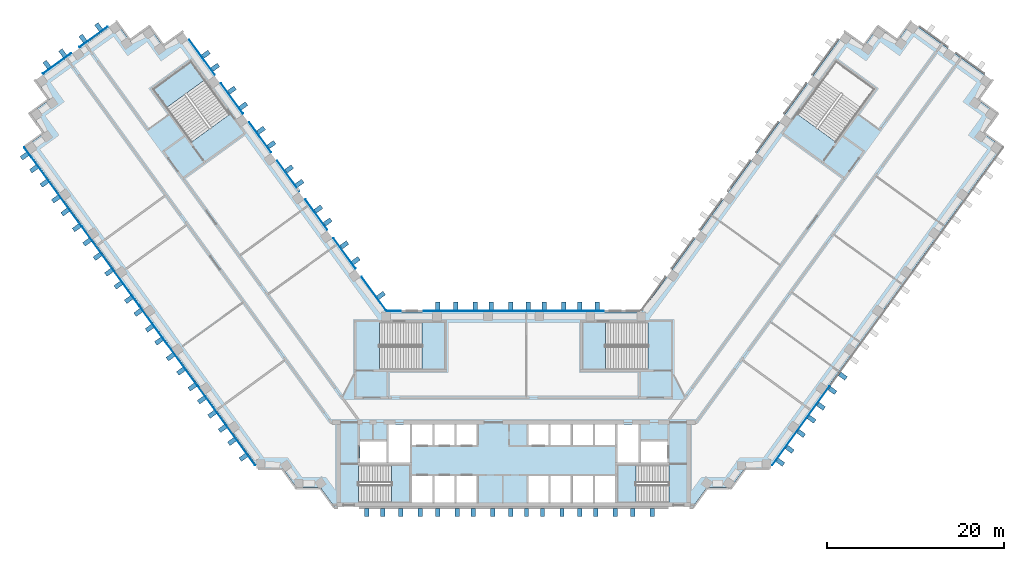
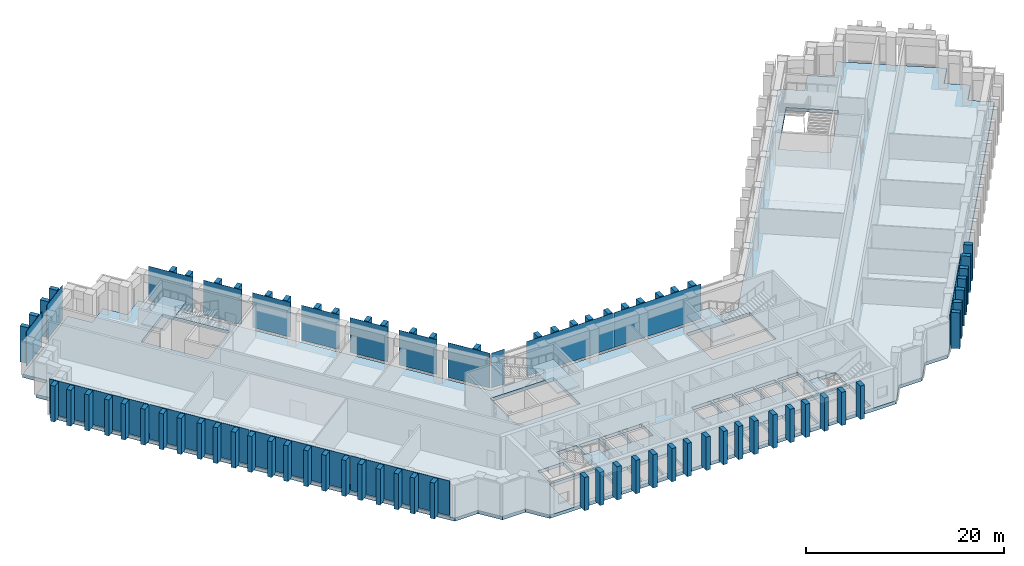
"""IFC4 building model written with IfcOpenShell, lengths in metres."""

from ifc_helpers import new_model, si_unit, direction, frame, origin, origin_2d, place, context, subcontext, project, spatial, polyline, rectangle, outline, extrude, material, layer, layer_set, type_object, element, aggregate, save


model = new_model("IFC4")

# Units and contexts
model_context = context("Model", 3, precision=1e-05, world=origin(), true_north=direction((0.0, 1.0)))
body_context = subcontext(model_context, "Body", "Model", "MODEL_VIEW")
ifc_project = project(units=[si_unit("LENGTHUNIT", "METRE"), si_unit("AREAUNIT", "SQUARE_METRE"), si_unit("VOLUMEUNIT", "CUBIC_METRE"), si_unit("PLANEANGLEUNIT", "RADIAN"), si_unit("MASSUNIT", "GRAM", prefix="KILO")], contexts=[model_context])

# Site, building, storey
site_placement = place(None, origin())
site = spatial("IfcSite", under=ifc_project, at=site_placement, CompositionType="ELEMENT")
building_placement = place(site_placement, origin())
building = spatial("IfcBuilding", under=site, at=building_placement, Name="Quipu Civic Tower", CompositionType="ELEMENT")
storey_1_placement = place(building_placement, frame((0.0, 0.0, 11.5)))
storey_1 = spatial("IfcBuildingStorey", under=building, at=storey_1_placement, Name="L02", CompositionType="ELEMENT", Elevation=11.5)

# Slab
ifc_material_1 = material(Name="Concrete C40/50", Category="concrete")
ifc_layer_1 = layer(ifc_material_1, 0.39990234375)
ifc_layer_set_1 = layer_set([ifc_layer_1], Name="Concrete C40/50")
slab_type_1 = type_object("IfcSlabType", Name="Floor slab 400 C40/50", PredefinedType="FLOOR", material=ifc_layer_set_1)
slab_1_placement = place(storey_1_placement, frame((0.0, 0.0, -0.39990234375)))
element("IfcSlab", 1, at=slab_1_placement, inside=storey_1, type_object=slab_type_1, Name="Floor slab L02", PredefinedType="FLOOR", context=body_context, shape_type="SweptSolid", body=[
    extrude(outline(polyline([(37.31494140625, 42.550048828125), (39.5, 40.9599609375), (41.0849609375, 43.14501953125), (43.27001953125, 41.56005859375), (44.860107421875, 43.739990234375), (53.919921875, 37.159912109375), (52.3349609375, 34.97509765625), (54.514892578125, 33.389892578125), (52.929931640625, 31.205078125), (55.114990234375, 29.614990234375), (28.780029296875, -6.6298828125), (26.080078125, -6.6298828125), (24.489990234375, -8.81494140625), (21.7900390625, -8.81494140625), (20.205078125, -11.0), (-20.205078125, -11.0), (-21.7900390625, -8.81494140625), (-24.489990234375, -8.81494140625), (-26.080078125, -6.6298828125), (-28.780029296875, -6.6298828125), (-55.114990234375, 29.614990234375), (-52.929931640625, 31.205078125), (-54.514892578125, 33.389892578125), (-52.3349609375, 34.97509765625), (-53.919921875, 37.159912109375), (-44.860107421875, 43.739990234375), (-43.27001953125, 41.56005859375), (-41.0849609375, 43.14501953125), (-39.5, 40.9599609375), (-37.31494140625, 42.550048828125), (-14.39501953125, 11.0), (14.39501953125, 11.0), (37.31494140625, 42.550048828125)]), holes=[polyline([(-11.449951171875, -7.5), (-11.449951171875, -10.5), (-9.14990234375, -10.5), (-9.14990234375, -7.5), (-11.449951171875, -7.5)]), polyline([(-6.64990234375, -7.5), (-8.949951171875, -7.5), (-8.949951171875, -10.5), (-6.64990234375, -10.5), (-6.64990234375, -7.5)]), polyline([(-4.14990234375, -7.5), (-6.449951171875, -7.5), (-6.449951171875, -10.5), (-4.14990234375, -10.5), (-4.14990234375, -7.5)]), polyline([(1.64990234375, -7.5), (1.64990234375, -10.5), (3.949951171875, -10.5), (3.949951171875, -7.5), (1.64990234375, -7.5)]), polyline([(-11.705078125, -10.4951171875), (-11.705078125, -6.2548828125), (-17.4951171875, -6.2548828125), (-17.4951171875, -10.4951171875), (-11.705078125, -10.4951171875)]), polyline([(-14.35009765625, -3.60009765625), (-17.35009765625, -3.60009765625), (-17.35009765625, -6.0), (-14.35009765625, -6.0), (-14.35009765625, -3.60009765625)]), polyline([(-14.10009765625, -1.699951171875), (-14.10009765625, -6.0), (-11.699951171875, -6.0), (-11.699951171875, -1.699951171875), (-14.10009765625, -1.699951171875)]), polyline([(-9.14990234375, -1.699951171875), (-11.449951171875, -1.699951171875), (-11.449951171875, -4.0), (-9.14990234375, -4.0), (-9.14990234375, -1.699951171875)]), polyline([(-6.64990234375, -1.699951171875), (-8.949951171875, -1.699951171875), (-8.949951171875, -4.0), (-6.64990234375, -4.0), (-6.64990234375, -1.699951171875)]), polyline([(-6.449951171875, -1.699951171875), (-6.449951171875, -4.0), (-4.14990234375, -4.0), (-4.14990234375, -1.699951171875), (-6.449951171875, -1.699951171875)]), polyline([(-7.7548828125, 4.5048828125), (-7.7548828125, 9.844970703125), (-15.14501953125, 9.844970703125), (-15.14501953125, 4.5048828125), (-7.7548828125, 4.5048828125)]), polyline([(-36.364990234375, 39.27490234375), (-40.68505859375, 36.135009765625), (-36.344970703125, 30.159912109375), (-32.02490234375, 33.300048828125), (-36.364990234375, 39.27490234375)]), polyline([(4.14990234375, -7.5), (4.14990234375, -10.5), (6.449951171875, -10.5), (6.449951171875, -7.5), (4.14990234375, -7.5)]), polyline([(8.949951171875, -7.5), (6.64990234375, -7.5), (6.64990234375, -10.5), (8.949951171875, -10.5), (8.949951171875, -7.5)]), polyline([(11.449951171875, -7.5), (9.14990234375, -7.5), (9.14990234375, -10.5), (11.449951171875, -10.5), (11.449951171875, -7.5)]), polyline([(11.705078125, -10.4951171875), (17.4951171875, -10.4951171875), (17.4951171875, -6.2548828125), (11.705078125, -6.2548828125), (11.705078125, -10.4951171875)]), polyline([(17.35009765625, -3.60009765625), (14.35009765625, -3.60009765625), (14.35009765625, -6.0), (17.35009765625, -6.0), (17.35009765625, -3.60009765625)]), polyline([(14.10009765625, -1.699951171875), (11.699951171875, -1.699951171875), (11.699951171875, -6.0), (14.10009765625, -6.0), (14.10009765625, -1.699951171875)]), polyline([(1.64990234375, -1.699951171875), (1.64990234375, -4.0), (3.949951171875, -4.0), (3.949951171875, -1.699951171875), (1.64990234375, -1.699951171875)]), polyline([(6.449951171875, -1.699951171875), (4.14990234375, -1.699951171875), (4.14990234375, -4.0), (6.449951171875, -4.0), (6.449951171875, -1.699951171875)]), polyline([(8.949951171875, -1.699951171875), (6.64990234375, -1.699951171875), (6.64990234375, -4.0), (8.949951171875, -4.0), (8.949951171875, -1.699951171875)]), polyline([(9.14990234375, -1.699951171875), (9.14990234375, -4.0), (11.449951171875, -4.0), (11.449951171875, -1.699951171875), (9.14990234375, -1.699951171875)]), polyline([(7.7548828125, 9.844970703125), (7.7548828125, 4.5048828125), (15.14501953125, 4.5048828125), (15.14501953125, 9.844970703125), (7.7548828125, 9.844970703125)]), polyline([(40.68505859375, 36.135009765625), (36.364990234375, 39.27490234375), (32.02490234375, 33.300048828125), (36.344970703125, 30.159912109375), (40.68505859375, 36.135009765625)])]), origin(), (0.0, 0.0, 1.0), 0.39990234375),
])

# Storey
storey_2_placement = place(building_placement, frame((0.0, 0.0, 16.0)))
storey_2 = spatial("IfcBuildingStorey", under=building, at=storey_2_placement, Name="L03", CompositionType="ELEMENT", Elevation=16.0)

# Curtain wall, plate
ifc_material_2 = material(Name="Insulated glass unit", Category="glass")
curtain_wall_type = type_object("IfcCurtainWallType", Name="Public services curtain wall CW3", PredefinedType="NOTDEFINED", material=ifc_material_2)
curtain_wall_1_placement = place(storey_2_placement, origin())
curtain_wall_1 = element("IfcCurtainWall", 2, at=curtain_wall_1_placement, inside=storey_2, type_object=curtain_wall_type, Name="Public services curtain wall CW3 L02 run 1", PredefinedType="NOTDEFINED")
ifc_material_3 = material(Name="Insulated glass unit", Category="glass")
ifc_layer_2 = layer(ifc_material_3, 0.031982421875)
ifc_layer_set_2 = layer_set([ifc_layer_2], Name="Insulated glass unit")
plate_type_1 = type_object("IfcPlateType", Name="Glass panel CW3", PredefinedType="CURTAIN_PANEL", material=ifc_layer_set_2)
plate_1_placement = place(storey_1_placement, frame((-15.769287109375, 13.0615234375, 0.2099609375), z_axis=(0.0, 0.0, 1.0), x_axis=(-0.587795194797, 0.809009770629, 0.0)))
plate_1 = element("IfcPlate", 3, at=plate_1_placement, inside=storey_1, type_object=plate_type_1, Name="CW3 panel 1.1", PredefinedType="CURTAIN_PANEL", context=body_context, shape_type="SweptSolid", body=[
    extrude(rectangle(XDim=4.649169921875, YDim=0.031982421875, at=origin_2d()), origin(), (0.0, 0.0, 1.0), 4.2900390625),
])
aggregate(curtain_wall_1, [plate_1])

curtain_wall_2_placement = place(storey_2_placement, origin())
curtain_wall_2 = element("IfcCurtainWall", 4, at=curtain_wall_2_placement, inside=storey_2, type_object=curtain_wall_type, Name="Public services curtain wall CW3 L02 run 2", PredefinedType="NOTDEFINED")
plate_2_placement = place(storey_1_placement, frame((-19.075439453125, 17.61181640625, 0.2099609375), z_axis=(0.0, 0.0, 1.0), x_axis=(-0.587800011079, 0.809006271283, 0.0)))
plate_2 = element("IfcPlate", 5, at=plate_2_placement, inside=storey_1, type_object=plate_type_1, Name="CW3 panel 1.1", PredefinedType="CURTAIN_PANEL", context=body_context, shape_type="SweptSolid", body=[
    extrude(rectangle(XDim=4.199951171875, YDim=0.031982421875, at=origin_2d()), origin(), (0.0, 0.0, 1.0), 4.2900390625),
])
aggregate(curtain_wall_2, [plate_2])

curtain_wall_3_placement = place(storey_2_placement, origin())
curtain_wall_3 = element("IfcCurtainWall", 6, at=curtain_wall_3_placement, inside=storey_2, type_object=curtain_wall_type, Name="Public services curtain wall CW3 L02 run 3", PredefinedType="NOTDEFINED")
plate_3_placement = place(storey_1_placement, frame((-22.24951171875, 21.98046875, 0.2099609375), z_axis=(0.0, 0.0, 1.0), x_axis=(-0.587774328321, 0.809024930992, 0.0)))
plate_3 = element("IfcPlate", 7, at=plate_3_placement, inside=storey_1, type_object=plate_type_1, Name="CW3 panel 1.1", PredefinedType="CURTAIN_PANEL", context=body_context, shape_type="SweptSolid", body=[
    extrude(rectangle(XDim=4.199951171875, YDim=0.031982421875, at=origin_2d()), origin(), (0.0, 0.0, 1.0), 4.2900390625),
])
aggregate(curtain_wall_3, [plate_3])

curtain_wall_4_placement = place(storey_2_placement, origin())
curtain_wall_4 = element("IfcCurtainWall", 8, at=curtain_wall_4_placement, inside=storey_2, type_object=curtain_wall_type, Name="Public services curtain wall CW3 L02 run 4", PredefinedType="NOTDEFINED")
plate_4_placement = place(storey_1_placement, frame((-25.42333984375, 26.349365234375, 0.2099609375), z_axis=(0.0, 0.0, 1.0), x_axis=(-0.587789203544, 0.809014123608, 0.0)))
plate_4 = element("IfcPlate", 9, at=plate_4_placement, inside=storey_1, type_object=plate_type_1, Name="CW3 panel 1.1", PredefinedType="CURTAIN_PANEL", context=body_context, shape_type="SweptSolid", body=[
    extrude(rectangle(XDim=4.199951171875, YDim=0.031982421875, at=origin_2d()), origin(), (0.0, 0.0, 1.0), 4.2900390625),
])
aggregate(curtain_wall_4, [plate_4])

curtain_wall_5_placement = place(storey_2_placement, origin())
curtain_wall_5 = element("IfcCurtainWall", 10, at=curtain_wall_5_placement, inside=storey_2, type_object=curtain_wall_type, Name="Public services curtain wall CW3 L02 run 5", PredefinedType="NOTDEFINED")
plate_5_placement = place(storey_1_placement, frame((-28.597412109375, 30.718017578125, 0.2099609375), z_axis=(0.0, 0.0, 1.0), x_axis=(-0.587785135859, 0.809017078969, 0.0)))
plate_5 = element("IfcPlate", 11, at=plate_5_placement, inside=storey_1, type_object=plate_type_1, Name="CW3 panel 1.1", PredefinedType="CURTAIN_PANEL", context=body_context, shape_type="SweptSolid", body=[
    extrude(rectangle(XDim=4.199951171875, YDim=0.031982421875, at=origin_2d()), origin(), (0.0, 0.0, 1.0), 4.2900390625),
])
aggregate(curtain_wall_5, [plate_5])

curtain_wall_6_placement = place(storey_2_placement, origin())
curtain_wall_6 = element("IfcCurtainWall", 12, at=curtain_wall_6_placement, inside=storey_2, type_object=curtain_wall_type, Name="Public services curtain wall CW3 L02 run 6", PredefinedType="NOTDEFINED")
plate_6_placement = place(storey_1_placement, frame((-31.771484375, 35.086669921875, 0.2099609375), z_axis=(0.0, 0.0, 1.0), x_axis=(-0.587789203544, 0.809014123608, 0.0)))
plate_6 = element("IfcPlate", 13, at=plate_6_placement, inside=storey_1, type_object=plate_type_1, Name="CW3 panel 1.1", PredefinedType="CURTAIN_PANEL", context=body_context, shape_type="SweptSolid", body=[
    extrude(rectangle(XDim=4.199951171875, YDim=0.031982421875, at=origin_2d()), origin(), (0.0, 0.0, 1.0), 4.2900390625),
])
aggregate(curtain_wall_6, [plate_6])

curtain_wall_7_placement = place(storey_2_placement, origin())
curtain_wall_7 = element("IfcCurtainWall", 14, at=curtain_wall_7_placement, inside=storey_2, type_object=curtain_wall_type, Name="Public services curtain wall CW3 L02 run 7", PredefinedType="NOTDEFINED")
plate_7_placement = place(storey_1_placement, frame((-35.149658203125, 39.736328125, 0.2099609375), z_axis=(0.0, 0.0, 1.0), x_axis=(-0.587782980465, 0.809018644949, 0.0)))
plate_7 = element("IfcPlate", 15, at=plate_7_placement, inside=storey_1, type_object=plate_type_1, Name="CW3 panel 1.1", PredefinedType="CURTAIN_PANEL", context=body_context, shape_type="SweptSolid", body=[
    extrude(rectangle(XDim=4.89453125, YDim=0.031982421875, at=origin_2d()), origin(), (0.0, 0.0, 1.0), 4.2900390625),
])
aggregate(curtain_wall_7, [plate_7])

curtain_wall_8_placement = place(storey_2_placement, origin())
curtain_wall_8 = element("IfcCurtainWall", 16, at=curtain_wall_8_placement, inside=storey_2, type_object=curtain_wall_type, Name="Public services curtain wall CW3 L02 run 12", PredefinedType="NOTDEFINED")
plate_8_placement = place(storey_1_placement, frame((-47.385009765625, 42.03076171875, 0.2099609375), z_axis=(0.0, 0.0, 1.0), x_axis=(-0.809030241342, -0.587767018974, 0.0)))
plate_8 = element("IfcPlate", 17, at=plate_8_placement, inside=storey_1, type_object=plate_type_1, Name="CW3 panel 1.1", PredefinedType="CURTAIN_PANEL", context=body_context, shape_type="SweptSolid", body=[
    extrude(rectangle(XDim=3.900146484375, YDim=0.031982421875, at=origin_2d()), origin(), (0.0, 0.0, 1.0), 4.2900390625),
])
aggregate(curtain_wall_8, [plate_8])

curtain_wall_9_placement = place(storey_2_placement, origin())
curtain_wall_9 = element("IfcCurtainWall", 18, at=curtain_wall_9_placement, inside=storey_2, type_object=curtain_wall_type, Name="Public services curtain wall CW3 L02 run 13", PredefinedType="NOTDEFINED")
plate_9_placement = place(storey_1_placement, frame((-51.51025390625, 39.033447265625, 0.2099609375), z_axis=(0.0, 0.0, 1.0), x_axis=(-0.809014568883, -0.587788590681, 0.0)))
plate_9 = element("IfcPlate", 19, at=plate_9_placement, inside=storey_1, type_object=plate_type_1, Name="CW3 panel 1.1", PredefinedType="CURTAIN_PANEL", context=body_context, shape_type="SweptSolid", body=[
    extrude(rectangle(XDim=3.898193359375, YDim=0.031982421875, at=origin_2d()), origin(), (0.0, 0.0, 1.0), 4.2900390625),
])
aggregate(curtain_wall_9, [plate_9])

# Curtain wall, plates
curtain_wall_10_placement = place(storey_2_placement, origin())
curtain_wall_10 = element("IfcCurtainWall", 20, at=curtain_wall_10_placement, inside=storey_2, type_object=curtain_wall_type, Name="Public services curtain wall CW3 L02 run 18", PredefinedType="NOTDEFINED")
plate_10_placement = place(storey_1_placement, frame((-51.970947265625, 25.11962890625, 0.2099609375), z_axis=(0.0, 0.0, 1.0), x_axis=(0.587785356329, -0.809016918788, 0.0)))
plate_10 = element("IfcPlate", 21, at=plate_10_placement, inside=storey_1, type_object=plate_type_1, Name="CW3 panel 1.1", PredefinedType="CURTAIN_PANEL", context=body_context, shape_type="SweptSolid", body=[
    extrude(rectangle(XDim=10.971435546875, YDim=0.031982421875, at=origin_2d()), origin(), (0.0, 0.0, 1.0), 4.2900390625),
])
plate_11_placement = place(storey_1_placement, frame((-45.448486328125, 16.142333984375, 0.2099609375), z_axis=(0.0, 0.0, 1.0), x_axis=(0.587785356329, -0.809016918788, 0.0)))
plate_11 = element("IfcPlate", 22, at=plate_11_placement, inside=storey_1, type_object=plate_type_1, Name="CW3 panel 2.1", PredefinedType="CURTAIN_PANEL", context=body_context, shape_type="SweptSolid", body=[
    extrude(rectangle(XDim=11.021484375, YDim=0.031982421875, at=origin_2d()), origin(), (0.0, 0.0, 1.0), 4.2900390625),
])
plate_12_placement = place(storey_1_placement, frame((-38.911376953125, 7.14501953125, 0.2099609375), z_axis=(0.0, 0.0, 1.0), x_axis=(0.587785356329, -0.809016918788, 0.0)))
plate_12 = element("IfcPlate", 23, at=plate_12_placement, inside=storey_1, type_object=plate_type_1, Name="CW3 panel 3.1", PredefinedType="CURTAIN_PANEL", context=body_context, shape_type="SweptSolid", body=[
    extrude(rectangle(XDim=11.021484375, YDim=0.031982421875, at=origin_2d()), origin(), (0.0, 0.0, 1.0), 4.2900390625),
])
plate_13_placement = place(storey_1_placement, frame((-32.38916015625, -1.832275390625, 0.2099609375), z_axis=(0.0, 0.0, 1.0), x_axis=(0.587785356329, -0.809016918788, 0.0)))
plate_13 = element("IfcPlate", 24, at=plate_13_placement, inside=storey_1, type_object=plate_type_1, Name="CW3 panel 4.1", PredefinedType="CURTAIN_PANEL", context=body_context, shape_type="SweptSolid", body=[
    extrude(rectangle(XDim=10.971435546875, YDim=0.031982421875, at=origin_2d()), origin(), (0.0, 0.0, 1.0), 4.2900390625),
])
aggregate(curtain_wall_10, [plate_10, plate_11, plate_12, plate_13])

# Curtain wall, plate
curtain_wall_11_placement = place(storey_2_placement, origin())
curtain_wall_11 = element("IfcCurtainWall", 25, at=curtain_wall_11_placement, inside=storey_2, type_object=curtain_wall_type, Name="Public services curtain wall CW3 L02 run 32", PredefinedType="NOTDEFINED")
plate_14_placement = place(storey_1_placement, frame((32.38916015625, -1.832275390625, 0.2099609375), z_axis=(0.0, 0.0, 1.0), x_axis=(0.587785356329, 0.809016918788, 0.0)))
plate_14 = element("IfcPlate", 26, at=plate_14_placement, inside=storey_1, type_object=plate_type_1, Name="CW3 panel 1.1", PredefinedType="CURTAIN_PANEL", context=body_context, shape_type="SweptSolid", body=[
    extrude(rectangle(XDim=10.971435546875, YDim=0.031982421875, at=origin_2d()), origin(), (0.0, 0.0, 1.0), 4.2900390625),
])
aggregate(curtain_wall_11, [plate_14])

# Curtain wall, plates
curtain_wall_12_placement = place(storey_2_placement, origin())
curtain_wall_12 = element("IfcCurtainWall", 27, at=curtain_wall_12_placement, inside=storey_2, type_object=curtain_wall_type, Name="Public services curtain wall CW3 L02 run 52", PredefinedType="NOTDEFINED")
plate_15_placement = place(storey_1_placement, frame((5.106689453125, 11.10009765625, 0.2099609375), z_axis=(0.0, 0.0, 1.0), x_axis=(-1.0, 0.0, 0.0)))
plate_15 = element("IfcPlate", 28, at=plate_15_placement, inside=storey_1, type_object=plate_type_1, Name="CW3 panel 1.1", PredefinedType="CURTAIN_PANEL", context=body_context, shape_type="SweptSolid", body=[
    extrude(rectangle(XDim=10.113525390625, YDim=0.031982421875, at=origin_2d()), origin(), (0.0, 0.0, 1.0), 4.2900390625),
])
plate_16_placement = place(storey_1_placement, frame((-5.106689453125, 11.10009765625, 0.2099609375), z_axis=(0.0, 0.0, 1.0), x_axis=(-1.0, 0.0, 0.0)))
plate_16 = element("IfcPlate", 29, at=plate_16_placement, inside=storey_1, type_object=plate_type_1, Name="CW3 panel 2.1", PredefinedType="CURTAIN_PANEL", context=body_context, shape_type="SweptSolid", body=[
    extrude(rectangle(XDim=10.113525390625, YDim=0.031982421875, at=origin_2d()), origin(), (0.0, 0.0, 1.0), 4.2900390625),
])
aggregate(curtain_wall_12, [plate_15, plate_16])

# Curtain wall, plate
curtain_wall_13_placement = place(storey_2_placement, origin())
curtain_wall_13 = element("IfcCurtainWall", 30, at=curtain_wall_13_placement, inside=storey_2, type_object=curtain_wall_type, Name="Public services curtain wall CW3 L02 run 54", PredefinedType="NOTDEFINED")
plate_17_placement = place(storey_1_placement, frame((-13.49951171875, 11.10009765625, 0.2099609375), z_axis=(0.0, 0.0, 1.0), x_axis=(-1.0, 0.0, 0.0)))
plate_17 = element("IfcPlate", 31, at=plate_17_placement, inside=storey_1, type_object=plate_type_1, Name="CW3 panel 1.1", PredefinedType="CURTAIN_PANEL", context=body_context, shape_type="SweptSolid", body=[
    extrude(rectangle(XDim=1.4892578125, YDim=0.031982421875, at=origin_2d()), origin(), (0.0, 0.0, 1.0), 4.2900390625),
])
aggregate(curtain_wall_13, [plate_17])

# Plates
ifc_material_4 = material(Name="Precast concrete C40/50", Category="concrete")
plate_type_2 = type_object("IfcPlateType", Name="Precast fin F0", PredefinedType="SHEET", material=ifc_material_4)
for number, where, z_axis, x_axis, name in (
    (32, (-14.956787109375, 12.878662109375, 0.06982421875), (0.0, 0.0, 1.0), (-0.587784944053, 0.809017218324, 0.0), "Precast fin F0 L02.1.1"),
    (33, (-17.802734375, 16.7958984375, 0.06982421875), (0.0, 0.0, 1.0), (-0.587784944053, 0.809017218324, 0.0), "Precast fin F0 L02.2.1"),
    (34, (-19.095703125, 18.57568359375, 0.06982421875), (0.0, 0.0, 1.0), (-0.587784944053, 0.809017218324, 0.0), "Precast fin F0 L02.2.2"),
    (35, (-20.97265625, 21.158935546875, 0.06982421875), (0.0, 0.0, 1.0), (-0.587784944053, 0.809017218324, 0.0), "Precast fin F0 L02.3.1"),
    (36, (-22.03076171875, 22.615234375, 0.06982421875), (0.0, 0.0, 1.0), (-0.587784944053, 0.809017218324, 0.0), "Precast fin F0 L02.3.2"),
    (37, (-24.142822265625, 25.522216796875, 0.06982421875), (0.0, 0.0, 1.0), (-0.587784944053, 0.809017218324, 0.0), "Precast fin F0 L02.4.1"),
    (38, (-25.318359375, 27.14013671875, 0.06982421875), (0.0, 0.0, 1.0), (-0.587784944053, 0.809017218324, 0.0), "Precast fin F0 L02.4.2"),
    (39, (-27.312744140625, 29.885498046875, 0.06982421875), (0.0, 0.0, 1.0), (-0.587784944053, 0.809017218324, 0.0), "Precast fin F0 L02.5.1"),
    (40, (-28.488525390625, 31.50341796875, 0.06982421875), (0.0, 0.0, 1.0), (-0.587784944053, 0.809017218324, 0.0), "Precast fin F0 L02.5.2"),
    (41, (-30.48291015625, 34.24853515625, 0.06982421875), (0.0, 0.0, 1.0), (-0.587784944053, 0.809017218324, 0.0), "Precast fin F0 L02.6.1"),
    (42, (-31.77587890625, 36.028564453125, 0.06982421875), (0.0, 0.0, 1.0), (-0.587784944053, 0.809017218324, 0.0), "Precast fin F0 L02.6.2"),
    (43, (-33.65283203125, 38.61181640625, 0.06982421875), (0.0, 0.0, 1.0), (-0.587784944053, 0.809017218324, 0.0), "Precast fin F0 L02.7.1"),
    (44, (-34.7109375, 40.068115234375, 0.06982421875), (0.0, 0.0, 1.0), (-0.587784944053, 0.809017218324, 0.0), "Precast fin F0 L02.7.2"),
    (45, (-46.802734375, 43.133544921875, 0.06982421875), (0.0, 0.0, 1.0), (-0.809021318545, -0.587779300537, 0.0), "Precast fin F0 L02.12.1"),
    (46, (-48.58251953125, 41.84033203125, 0.06982421875), (0.0, 0.0, 1.0), (-0.809021318545, -0.587779300537, 0.0), "Precast fin F0 L02.12.2"),
    (47, (-50.8564453125, 40.1884765625, 0.06982421875), (0.0, 0.0, 1.0), (-0.809021318545, -0.587779300537, 0.0), "Precast fin F0 L02.13.1"),
    (48, (-52.63623046875, 38.895263671875, 0.06982421875), (0.0, 0.0, 1.0), (-0.809021318545, -0.587779300537, 0.0), "Precast fin F0 L02.13.2"),
    (49, (-55.169921875, 28.587158203125, 0.06982421875), (0.0, 0.0, 1.0), (0.587785716149, -0.809016657363, 0.0), "Precast fin F0 L02.18.1"),
    (50, (-54.112060546875, 27.131103515625, 0.06982421875), (0.0, 0.0, 1.0), (0.587785716149, -0.809016657363, 0.0), "Precast fin F0 L02.18.2"),
    (51, (-52.9365234375, 25.512939453125, 0.06982421875), (0.0, 0.0, 1.0), (0.587785716149, -0.809016657363, 0.0), "Precast fin F0 L02.18.3"),
    (52, (-51.643310546875, 23.733154296875, 0.06982421875), (0.0, 0.0, 1.0), (0.587785716149, -0.809016657363, 0.0), "Precast fin F0 L02.18.4"),
    (53, (-50.585205078125, 22.27685546875, 0.06982421875), (0.0, 0.0, 1.0), (0.587785716149, -0.809016657363, 0.0), "Precast fin F0 L02.18.5"),
    (54, (-49.292236328125, 20.4970703125, 0.06982421875), (0.0, 0.0, 1.0), (0.587785716149, -0.809016657363, 0.0), "Precast fin F0 L02.18.6"),
    (55, (-48.11669921875, 18.87890625, 0.06982421875), (0.0, 0.0, 1.0), (0.587785716149, -0.809016657363, 0.0), "Precast fin F0 L02.18.7"),
    (56, (-46.94091796875, 17.260986328125, 0.06982421875), (0.0, 0.0, 1.0), (0.587785716149, -0.809016657363, 0.0), "Precast fin F0 L02.18.8"),
    (57, (-45.64794921875, 15.481201171875, 0.06982421875), (0.0, 0.0, 1.0), (0.587785716149, -0.809016657363, 0.0), "Precast fin F0 L02.18.9"),
    (58, (-44.58984375, 14.02490234375, 0.06982421875), (0.0, 0.0, 1.0), (0.587785716149, -0.809016657363, 0.0), "Precast fin F0 L02.18.10"),
    (59, (-43.414306640625, 12.406982421875, 0.06982421875), (0.0, 0.0, 1.0), (0.587785716149, -0.809016657363, 0.0), "Precast fin F0 L02.18.11"),
    (60, (-42.356201171875, 10.95068359375, 0.06982421875), (0.0, 0.0, 1.0), (0.587785716149, -0.809016657363, 0.0), "Precast fin F0 L02.18.12"),
    (61, (-41.063232421875, 9.1708984375, 0.06982421875), (0.0, 0.0, 1.0), (0.587785716149, -0.809016657363, 0.0), "Precast fin F0 L02.18.13"),
    (62, (-40.005126953125, 7.714599609375, 0.06982421875), (0.0, 0.0, 1.0), (0.587785716149, -0.809016657363, 0.0), "Precast fin F0 L02.18.14"),
    (63, (-38.7119140625, 5.934814453125, 0.06982421875), (0.0, 0.0, 1.0), (0.587785716149, -0.809016657363, 0.0), "Precast fin F0 L02.18.15"),
    (64, (-37.536376953125, 4.316650390625, 0.06982421875), (0.0, 0.0, 1.0), (0.587785716149, -0.809016657363, 0.0), "Precast fin F0 L02.18.16"),
    (65, (-36.243408203125, 2.536865234375, 0.06982421875), (0.0, 0.0, 1.0), (0.587785716149, -0.809016657363, 0.0), "Precast fin F0 L02.18.17"),
    (66, (-35.185302734375, 1.08056640625, 0.06982421875), (0.0, 0.0, 1.0), (0.587785716149, -0.809016657363, 0.0), "Precast fin F0 L02.18.18"),
    (67, (-34.009765625, -0.537353515625, 0.06982421875), (0.0, 0.0, 1.0), (0.587785716149, -0.809016657363, 0.0), "Precast fin F0 L02.18.19"),
    (68, (-32.834228515625, -2.155517578125, 0.06982421875), (0.0, 0.0, 1.0), (0.587785716149, -0.809016657363, 0.0), "Precast fin F0 L02.18.20"),
    (69, (-31.776123046875, -3.611572265625, 0.06982421875), (0.0, 0.0, 1.0), (0.587785716149, -0.809016657363, 0.0), "Precast fin F0 L02.18.21"),
    (70, (-30.48291015625, -5.391357421875, 0.06982421875), (0.0, 0.0, 1.0), (0.587785716149, -0.809016657363, 0.0), "Precast fin F0 L02.18.22"),
):
    element("IfcPlate", number, at=place(storey_1_placement, frame(where, z_axis=z_axis, x_axis=x_axis)), inside=storey_1, type_object=plate_type_2, Name=name, PredefinedType="SHEET", context=body_context, shape_type="SweptSolid", body=[
        extrude(rectangle(XDim=0.5, YDim=0.89990234375, at=origin_2d()), origin(), (0.0, 0.0, 1.0), 4.429931640625),
    ])
for number, where, z_axis, x_axis, name in (
    (71, (-16.550048828125, -11.637939453125, 0.0), (0.0, 0.0, 1.0), (1.0, 0.0, 0.0), "Precast fin F0 L02.25.1"),
    (72, (-14.75, -11.637939453125, 0.0), (0.0, 0.0, 1.0), (1.0, 0.0, 0.0), "Precast fin F0 L02.25.2"),
    (73, (-12.75, -11.637939453125, 0.0), (0.0, 0.0, 1.0), (1.0, 0.0, 0.0), "Precast fin F0 L02.25.3"),
    (74, (-10.550048828125, -11.637939453125, 0.0), (0.0, 0.0, 1.0), (1.0, 0.0, 0.0), "Precast fin F0 L02.25.4"),
    (75, (-8.550048828125, -11.637939453125, 0.0), (0.0, 0.0, 1.0), (1.0, 0.0, 0.0), "Precast fin F0 L02.25.5"),
    (76, (-6.35009765625, -11.637939453125, 0.0), (0.0, 0.0, 1.0), (1.0, 0.0, 0.0), "Precast fin F0 L02.25.6"),
    (77, (-4.550048828125, -11.637939453125, 0.0), (0.0, 0.0, 1.0), (1.0, 0.0, 0.0), "Precast fin F0 L02.25.7"),
    (78, (-2.35009765625, -11.637939453125, 0.0), (0.0, 0.0, 1.0), (1.0, 0.0, 0.0), "Precast fin F0 L02.25.8"),
    (79, (-0.35009765625, -11.637939453125, 0.0), (0.0, 0.0, 1.0), (1.0, 0.0, 0.0), "Precast fin F0 L02.25.9"),
    (80, (1.449951171875, -11.637939453125, 0.0), (0.0, 0.0, 1.0), (1.0, 0.0, 0.0), "Precast fin F0 L02.25.10"),
    (81, (3.25, -11.637939453125, 0.0), (0.0, 0.0, 1.0), (1.0, 0.0, 0.0), "Precast fin F0 L02.25.11"),
    (82, (5.449951171875, -11.637939453125, 0.0), (0.0, 0.0, 1.0), (1.0, 0.0, 0.0), "Precast fin F0 L02.25.12"),
    (83, (7.449951171875, -11.637939453125, 0.0), (0.0, 0.0, 1.0), (1.0, 0.0, 0.0), "Precast fin F0 L02.25.13"),
    (84, (9.25, -11.637939453125, 0.0), (0.0, 0.0, 1.0), (1.0, 0.0, 0.0), "Precast fin F0 L02.25.14"),
    (85, (11.449951171875, -11.637939453125, 0.0), (0.0, 0.0, 1.0), (1.0, 0.0, 0.0), "Precast fin F0 L02.25.15"),
    (86, (13.449951171875, -11.637939453125, 0.0), (0.0, 0.0, 1.0), (1.0, 0.0, 0.0), "Precast fin F0 L02.25.16"),
    (87, (15.64990234375, -11.637939453125, 0.0), (0.0, 0.0, 1.0), (1.0, 0.0, 0.0), "Precast fin F0 L02.25.17"),
):
    element("IfcPlate", number, at=place(storey_1_placement, frame(where, z_axis=z_axis, x_axis=x_axis)), inside=storey_1, type_object=plate_type_2, Name=name, PredefinedType="SHEET", context=body_context, shape_type="SweptSolid", body=[
        extrude(rectangle(XDim=0.5, YDim=0.89990234375, at=origin_2d()), origin(), (0.0, 0.0, 1.0), 4.10009765625),
    ])
for number, where, z_axis, x_axis, name in (
    (88, (30.079345703125, -5.947021484375, 0.06982421875), (0.0, 0.0, 1.0), (0.587785716149, 0.809016657363, 0.0), "Precast fin F0 L02.32.1"),
    (89, (31.137451171875, -4.49072265625, 0.06982421875), (0.0, 0.0, 1.0), (0.587785716149, 0.809016657363, 0.0), "Precast fin F0 L02.32.2"),
    (90, (32.4306640625, -2.7109375, 0.06982421875), (0.0, 0.0, 1.0), (0.587785716149, 0.809016657363, 0.0), "Precast fin F0 L02.32.3"),
    (91, (33.606201171875, -1.0927734375, 0.06982421875), (0.0, 0.0, 1.0), (0.587785716149, 0.809016657363, 0.0), "Precast fin F0 L02.32.4"),
    (92, (34.6640625, 0.36328125, 0.06982421875), (0.0, 0.0, 1.0), (0.587785716149, 0.809016657363, 0.0), "Precast fin F0 L02.32.5"),
    (93, (35.957275390625, 2.143310546875, 0.06982421875), (0.0, 0.0, 1.0), (0.587785716149, 0.809016657363, 0.0), "Precast fin F0 L02.32.6"),
    (94, (37.1328125, 3.76123046875, 0.06982421875), (0.0, 0.0, 1.0), (0.587785716149, 0.809016657363, 0.0), "Precast fin F0 L02.32.7"),
    (95, (9.449951171875, 11.64990234375, 0.06982421875), (0.0, 0.0, 1.0), (-1.0, 0.0, 0.0), "Precast fin F0 L02.52.1"),
    (96, (7.449951171875, 11.64990234375, 0.06982421875), (0.0, 0.0, 1.0), (-1.0, 0.0, 0.0), "Precast fin F0 L02.52.2"),
    (97, (5.64990234375, 11.64990234375, 0.06982421875), (0.0, 0.0, 1.0), (-1.0, 0.0, 0.0), "Precast fin F0 L02.52.3"),
    (98, (3.449951171875, 11.64990234375, 0.06982421875), (0.0, 0.0, 1.0), (-1.0, 0.0, 0.0), "Precast fin F0 L02.52.4"),
    (99, (1.64990234375, 11.64990234375, 0.06982421875), (0.0, 0.0, 1.0), (-1.0, 0.0, 0.0), "Precast fin F0 L02.52.5"),
    (100, (-0.35009765625, 11.64990234375, 0.06982421875), (0.0, 0.0, 1.0), (-1.0, 0.0, 0.0), "Precast fin F0 L02.52.6"),
    (101, (-2.550048828125, 11.64990234375, 0.06982421875), (0.0, 0.0, 1.0), (-1.0, 0.0, 0.0), "Precast fin F0 L02.52.7"),
    (102, (-4.35009765625, 11.64990234375, 0.06982421875), (0.0, 0.0, 1.0), (-1.0, 0.0, 0.0), "Precast fin F0 L02.52.8"),
    (103, (-6.550048828125, 11.64990234375, 0.06982421875), (0.0, 0.0, 1.0), (-1.0, 0.0, 0.0), "Precast fin F0 L02.52.9"),
    (104, (-8.550048828125, 11.64990234375, 0.06982421875), (0.0, 0.0, 1.0), (-1.0, 0.0, 0.0), "Precast fin F0 L02.52.10"),
):
    element("IfcPlate", number, at=place(storey_1_placement, frame(where, z_axis=z_axis, x_axis=x_axis)), inside=storey_1, type_object=plate_type_2, Name=name, PredefinedType="SHEET", context=body_context, shape_type="SweptSolid", body=[
        extrude(rectangle(XDim=0.5, YDim=0.89990234375, at=origin_2d()), origin(), (0.0, 0.0, 1.0), 4.429931640625),
    ])

# Stair, slab
ifc_material_5 = material(Name="Concrete C40/50", Category="concrete")
stair_type_1 = type_object("IfcStairType", Name="Half turn stair 2000", PredefinedType="HALF_TURN_STAIR", material=ifc_material_5)
stair_1_placement = place(storey_1_placement, origin())
stair_1 = element("IfcStair", 105, at=stair_1_placement, inside=storey_1, type_object=stair_type_1, Name="Exit stair 1", PredefinedType="HALF_TURN_STAIR")
ifc_material_6 = material(Name="Concrete C40/50", Category="concrete")
ifc_layer_3 = layer(ifc_material_6, 0.199951171875)
ifc_layer_set_3 = layer_set([ifc_layer_3], Name="Concrete C40/50")
slab_type_2 = type_object("IfcSlabType", Name="Stair landing 200", PredefinedType="LANDING", material=ifc_layer_set_3)
slab_2_placement = place(storey_1_placement, frame((0.0, 0.0, 2.050048828125)))
slab_2 = element("IfcSlab", 106, at=slab_2_placement, type_object=slab_type_2, Name="ST-1 landing 1", PredefinedType="LANDING", context=body_context, shape_type="SweptSolid", body=[
    extrude(outline(polyline([(-13.780029296875, -10.5), (-11.699951171875, -10.5), (-11.699951171875, -6.25), (-13.780029296875, -6.25), (-13.780029296875, -10.5)])), origin(), (0.0, 0.0, 1.0), 0.199951171875),
])
aggregate(stair_1, [slab_2])

stair_2_placement = place(storey_1_placement, origin())
stair_2 = element("IfcStair", 107, at=stair_2_placement, inside=storey_1, type_object=stair_type_1, Name="Exit stair 2", PredefinedType="HALF_TURN_STAIR")
slab_3_placement = place(storey_1_placement, frame((0.0, 0.0, 2.050048828125)))
slab_3 = element("IfcSlab", 108, at=slab_3_placement, type_object=slab_type_2, Name="ST-2 landing 1", PredefinedType="LANDING", context=body_context, shape_type="SweptSolid", body=[
    extrude(outline(polyline([(13.780029296875, -6.25), (11.699951171875, -6.25), (11.699951171875, -10.5), (13.780029296875, -10.5), (13.780029296875, -6.25)])), origin(), (0.0, 0.0, 1.0), 0.199951171875),
])
aggregate(stair_2, [slab_3])

ifc_material_7 = material(Name="Concrete C40/50", Category="concrete")
stair_type_2 = type_object("IfcStairType", Name="Half turn stair 2600", PredefinedType="HALF_TURN_STAIR", material=ifc_material_7)
stair_3_placement = place(storey_1_placement, origin())
stair_3 = element("IfcStair", 109, at=stair_3_placement, inside=storey_1, type_object=stair_type_2, Name="Exit stair 3", PredefinedType="HALF_TURN_STAIR")
slab_4_placement = place(storey_1_placement, frame((0.0, 0.0, 2.050048828125)))
slab_4 = element("IfcSlab", 110, at=slab_4_placement, type_object=slab_type_2, Name="ST-3 landing 1", PredefinedType="LANDING", context=body_context, shape_type="SweptSolid", body=[
    extrude(outline(polyline([(-10.35009765625, 4.5), (-7.75, 4.5), (-7.75, 9.85009765625), (-10.35009765625, 9.85009765625), (-10.35009765625, 4.5)])), origin(), (0.0, 0.0, 1.0), 0.199951171875),
])
aggregate(stair_3, [slab_4])

stair_4_placement = place(storey_1_placement, origin())
stair_4 = element("IfcStair", 111, at=stair_4_placement, inside=storey_1, type_object=stair_type_2, Name="Exit stair 4", PredefinedType="HALF_TURN_STAIR")
slab_5_placement = place(storey_1_placement, frame((0.0, 0.0, 2.050048828125)))
slab_5 = element("IfcSlab", 112, at=slab_5_placement, type_object=slab_type_2, Name="ST-4 landing 1", PredefinedType="LANDING", context=body_context, shape_type="SweptSolid", body=[
    extrude(outline(polyline([(10.35009765625, 9.85009765625), (7.75, 9.85009765625), (7.75, 4.5), (10.35009765625, 4.5), (10.35009765625, 9.85009765625)])), origin(), (0.0, 0.0, 1.0), 0.199951171875),
])
aggregate(stair_4, [slab_5])

stair_5_placement = place(storey_1_placement, origin())
stair_5 = element("IfcStair", 113, at=stair_5_placement, inside=storey_1, type_object=stair_type_2, Name="Exit stair 6", PredefinedType="HALF_TURN_STAIR")
slab_6_placement = place(storey_1_placement, frame((0.0, 0.0, 2.050048828125)))
slab_6 = element("IfcSlab", 114, at=slab_6_placement, type_object=slab_type_2, Name="ST-6 landing 1", PredefinedType="LANDING", context=body_context, shape_type="SweptSolid", body=[
    extrude(outline(polyline([(-34.837158203125, 37.179443359375), (-36.365478515625, 39.282958984375), (-40.69384765625, 36.138427734375), (-39.16552734375, 34.034912109375), (-34.837158203125, 37.179443359375)])), origin(), (0.0, 0.0, 1.0), 0.199951171875),
])
aggregate(stair_5, [slab_6])

save(model, "model.ifc")
